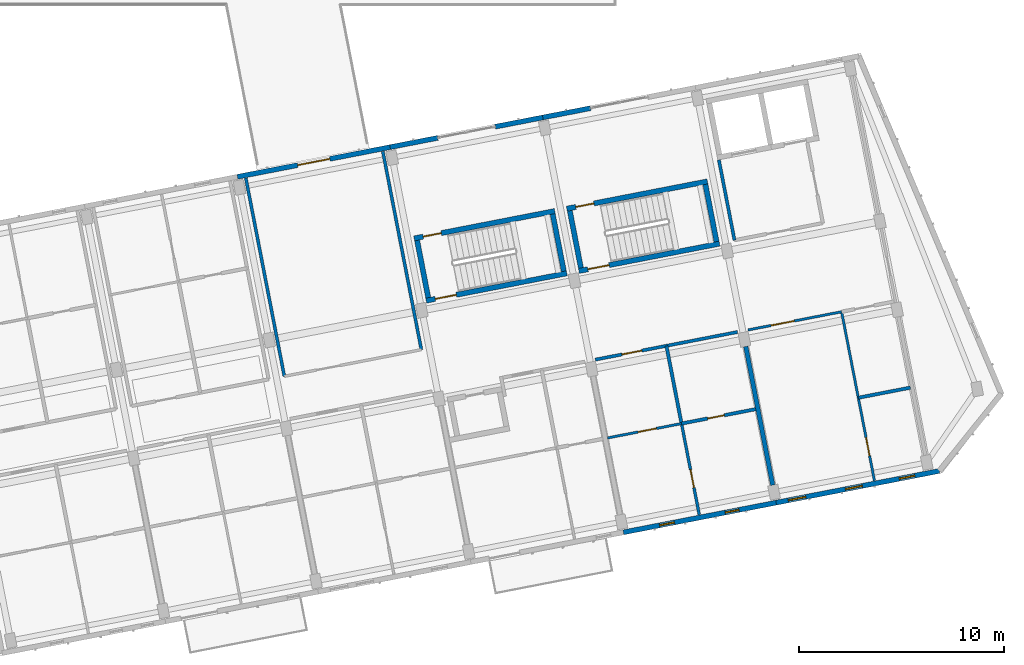
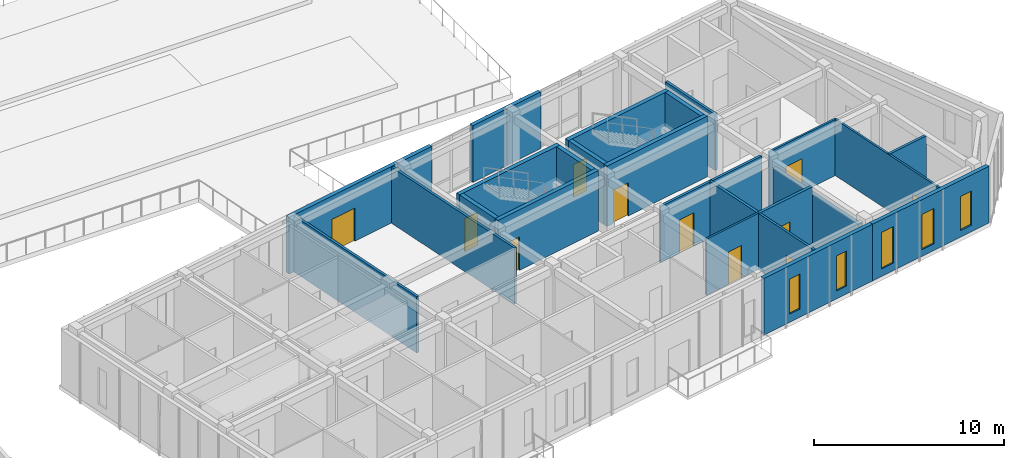
# One storey, part 101 of 150: 26 walls, 11 doors, 5 windows, 16 openings.
"""IFC4 building model written with IfcOpenShell, lengths in metres."""

from ifc_helpers import new_model, si_unit, direction, frame, frame_2d, origin, place, context, subcontext, project, spatial, rectangle, extrude, material, layer, layer_set, type_object, element, fill, save


model = new_model("IFC4")

# Units and contexts
model_context = context("Model", 3, precision=1e-05, world=origin(), true_north=direction((0.0, 1.0)))
body_context = subcontext(model_context, "Body", "Model", "MODEL_VIEW")
ifc_project = project(units=[si_unit("LENGTHUNIT", "METRE"), si_unit("AREAUNIT", "SQUARE_METRE"), si_unit("VOLUMEUNIT", "CUBIC_METRE"), si_unit("PLANEANGLEUNIT", "RADIAN"), si_unit("MASSUNIT", "GRAM", prefix="KILO")], contexts=[model_context])

# Site, building, storey
site_placement = place(None, origin())
site = spatial("IfcSite", under=ifc_project, at=site_placement, CompositionType="ELEMENT")
building_placement = place(site_placement, origin())
building = spatial("IfcBuilding", under=site, at=building_placement, Name="Kestramere Prow Commons", CompositionType="ELEMENT")
storey_placement = place(building_placement, frame((0.0, 0.0, 4.5)))
storey = spatial("IfcBuildingStorey", under=building, at=storey_placement, Name="L01", CompositionType="ELEMENT", Elevation=4.5)

# Wall, openings, windows
ifc_material_1 = material(Name="Fluoropolymer Standing-Seam Zinc-Aluminium Cladding", Category="aluminium")
ifc_layer_1 = layer(ifc_material_1, 0.239990234375)
ifc_layer_set_1 = layer_set([ifc_layer_1], Name="Fluoropolymer Standing-Seam Zinc-Aluminium Cladding")
wall_type_1 = type_object("IfcWallType", Name="EW-SEAM-240", PredefinedType="SOLIDWALL", material=ifc_layer_set_1)
wall_1_placement = place(storey_placement, frame((155.802001953125, 40.7353515625, 0.0), z_axis=(0.0, 0.0, 1.0), x_axis=(-0.981626422232, -0.190812911449, 0.0)))
wall_1 = element("IfcWall", 1, at=wall_1_placement, inside=storey, type_object=wall_type_1, Name="Block D L01 South Standing-Seam Wall 5", PredefinedType="SOLIDWALL", context=body_context, shape_type="SweptSolid", body=[
    extrude(rectangle(XDim=7.60009765625, YDim=0.239990234375, at=frame_2d((3.800048828125, 0.0))), origin(), (0.0, 0.0, 1.0), 3.64990234375),
])
opening_1_placement = place(wall_1_placement, frame((1.84716796875, 0.0, 0.52001953125)))
opening_1 = element("IfcOpeningElement", 2, at=opening_1_placement, cuts=wall_1, Name="Opening WN-06", PredefinedType="OPENING", context=body_context, shape_type="SweptSolid", body=[
    extrude(rectangle(XDim=0.679931640625, YDim=2.239990234375, at=frame_2d((0.33984375, 1.1201171875))), frame((0.0, 0.135009765625, 0.0), z_axis=(0.0, -1.0, 0.0), x_axis=(1.0, 0.0, 0.0)), (0.0, 0.0, 1.0), 0.27001953125),
])
opening_2_placement = place(wall_1_placement, frame((5.06201171875, 0.0, 0.52001953125)))
opening_2 = element("IfcOpeningElement", 3, at=opening_2_placement, cuts=wall_1, Name="Opening WN-09", PredefinedType="OPENING", context=body_context, shape_type="SweptSolid", body=[
    extrude(rectangle(XDim=0.739990234375, YDim=2.260009765625, at=frame_2d((0.3701171875, 1.1298828125))), frame((0.0, 0.135009765625, 0.0), z_axis=(0.0, -1.0, 0.0), x_axis=(1.0, 0.0, 0.0)), (0.0, 0.0, 1.0), 0.27001953125),
])
ifc_material_2 = material(Name="Low-E Laminated Double Glazing", Category="glass")
window_type_1 = type_object("IfcWindowType", Name="WN-NAR-680A", PartitioningType="SINGLE_PANEL", PredefinedType="WINDOW", material=ifc_material_2)
window_1_placement = place(opening_1_placement, origin())
window_1 = element("IfcWindow", 4, at=window_1_placement, inside=storey, type_object=window_type_1, Name="WN-D-L01-S-4-00", OverallHeight=2.239990234375, OverallWidth=0.679931640625, PartitioningType="SINGLE_PANEL", PredefinedType="WINDOW", context=body_context, shape_type="SweptSolid", body=[
    extrude(rectangle(XDim=0.679931640625, YDim=2.239990234375, at=frame_2d((0.33984375, 1.1201171875))), frame((0.0, 0.030029296875, 0.0), z_axis=(0.0, -1.0, 0.0), x_axis=(1.0, 0.0, 0.0)), (0.0, 0.0, 1.0), 0.06005859375),
])
fill(opening_1, window_1)
window_type_2 = type_object("IfcWindowType", Name="WN-NAR-740A", PartitioningType="SINGLE_PANEL", PredefinedType="WINDOW", material=ifc_material_2)
window_2_placement = place(opening_2_placement, origin())
window_2 = element("IfcWindow", 5, at=window_2_placement, inside=storey, type_object=window_type_2, Name="WN-D-L01-S-4-10", OverallHeight=2.260009765625, OverallWidth=0.739990234375, PartitioningType="SINGLE_PANEL", PredefinedType="WINDOW", context=body_context, shape_type="SweptSolid", body=[
    extrude(rectangle(XDim=0.739990234375, YDim=2.260009765625, at=frame_2d((0.3701171875, 1.1298828125))), frame((0.0, 0.030029296875, 0.0), z_axis=(0.0, -1.0, 0.0), x_axis=(1.0, 0.0, 0.0)), (0.0, 0.0, 1.0), 0.06005859375),
])
fill(opening_2, window_2)

wall_2_placement = place(storey_placement, frame((163.77783203125, 42.28564453125, 0.0), z_axis=(0.0, 0.0, 1.0), x_axis=(-0.981628367112, -0.190802905848, 0.0)))
wall_2 = element("IfcWall", 6, at=wall_2_placement, inside=storey, type_object=wall_type_1, Name="Block D L01 South Standing-Seam Wall 6", PredefinedType="SOLIDWALL", context=body_context, shape_type="SweptSolid", body=[
    extrude(rectangle(XDim=8.125, YDim=0.239990234375, at=frame_2d((4.0625, 0.0))), origin(), (0.0, 0.0, 1.0), 3.64990234375),
])
opening_3_placement = place(wall_2_placement, frame((1.22265625, 0.0, 0.419921875)))
opening_3 = element("IfcOpeningElement", 7, at=opening_3_placement, cuts=wall_2, Name="Opening WN-11", PredefinedType="OPENING", context=body_context, shape_type="SweptSolid", body=[
    extrude(rectangle(XDim=0.780029296875, YDim=2.199951171875, at=frame_2d((0.39013671875, 1.10009765625))), frame((0.0, 0.135009765625, 0.0), z_axis=(0.0, -1.0, 0.0), x_axis=(1.0, 0.0, 0.0)), (0.0, 0.0, 1.0), 0.27001953125),
])
opening_4_placement = place(wall_2_placement, frame((3.8349609375, 0.0, 0.419921875)))
opening_4 = element("IfcOpeningElement", 8, at=opening_4_placement, cuts=wall_2, Name="Opening WN-14", PredefinedType="OPENING", context=body_context, shape_type="SweptSolid", body=[
    extrude(rectangle(XDim=0.840087890625, YDim=2.280029296875, at=frame_2d((0.419921875, 1.14013671875))), frame((0.0, 0.135009765625, 0.0), z_axis=(0.0, -1.0, 0.0), x_axis=(1.0, 0.0, 0.0)), (0.0, 0.0, 1.0), 0.27001953125),
])
opening_5_placement = place(wall_2_placement, frame((6.655029296875, 0.0, 0.47998046875)))
opening_5 = element("IfcOpeningElement", 9, at=opening_5_placement, cuts=wall_2, Name="Opening WN-15", PredefinedType="OPENING", context=body_context, shape_type="SweptSolid", body=[
    extrude(rectangle(XDim=0.860107421875, YDim=2.360107421875, at=frame_2d((0.43017578125, 1.18017578125))), frame((0.0, 0.135009765625, 0.0), z_axis=(0.0, -1.0, 0.0), x_axis=(1.0, 0.0, 0.0)), (0.0, 0.0, 1.0), 0.27001953125),
])
window_type_3 = type_object("IfcWindowType", Name="WN-NAR-780A", PartitioningType="SINGLE_PANEL", PredefinedType="WINDOW", material=ifc_material_2)
window_3_placement = place(opening_3_placement, origin())
window_3 = element("IfcWindow", 10, at=window_3_placement, inside=storey, type_object=window_type_3, Name="WN-D-L01-S-5-00", OverallHeight=2.199951171875, OverallWidth=0.780029296875, PartitioningType="SINGLE_PANEL", PredefinedType="WINDOW", context=body_context, shape_type="SweptSolid", body=[
    extrude(rectangle(XDim=0.780029296875, YDim=2.199951171875, at=frame_2d((0.39013671875, 1.10009765625))), frame((0.0, 0.030029296875, 0.0), z_axis=(0.0, -1.0, 0.0), x_axis=(1.0, 0.0, 0.0)), (0.0, 0.0, 1.0), 0.06005859375),
])
fill(opening_3, window_3)
window_type_4 = type_object("IfcWindowType", Name="WN-NAR-840A", PartitioningType="DOUBLE_PANEL_VERTICAL", PredefinedType="WINDOW", material=ifc_material_2)
window_4_placement = place(opening_4_placement, origin())
window_4 = element("IfcWindow", 11, at=window_4_placement, inside=storey, type_object=window_type_4, Name="WN-D-L01-S-5-10", OverallHeight=2.280029296875, OverallWidth=0.840087890625, PartitioningType="SINGLE_PANEL", PredefinedType="WINDOW", context=body_context, shape_type="SweptSolid", body=[
    extrude(rectangle(XDim=0.840087890625, YDim=2.280029296875, at=frame_2d((0.419921875, 1.14013671875))), frame((0.0, 0.030029296875, 0.0), z_axis=(0.0, -1.0, 0.0), x_axis=(1.0, 0.0, 0.0)), (0.0, 0.0, 1.0), 0.06005859375),
])
fill(opening_4, window_4)
window_type_5 = type_object("IfcWindowType", Name="WN-NAR-860A", PartitioningType="DOUBLE_PANEL_VERTICAL", PredefinedType="WINDOW", material=ifc_material_2)
window_5_placement = place(opening_5_placement, origin())
window_5 = element("IfcWindow", 12, at=window_5_placement, inside=storey, type_object=window_type_5, Name="WN-D-L01-S-5-11", OverallHeight=2.360107421875, OverallWidth=0.860107421875, PartitioningType="SINGLE_PANEL", PredefinedType="WINDOW", context=body_context, shape_type="SweptSolid", body=[
    extrude(rectangle(XDim=0.860107421875, YDim=2.360107421875, at=frame_2d((0.43017578125, 1.18017578125))), frame((0.0, 0.030029296875, 0.0), z_axis=(0.0, -1.0, 0.0), x_axis=(1.0, 0.0, 0.0)), (0.0, 0.0, 1.0), 0.06005859375),
])
fill(opening_5, window_5)

# Wall, opening, door
wall_3_placement = place(storey_placement, frame((129.480712890625, 56.655517578125, 0.0), z_axis=(0.0, 0.0, 1.0), x_axis=(0.981626422232, 0.190812911449, 0.0)))
wall_3 = element("IfcWall", 13, at=wall_3_placement, inside=storey, type_object=wall_type_1, Name="Block D L01 North Standing-Seam Wall 3", PredefinedType="SOLIDWALL", context=body_context, shape_type="SweptSolid", body=[
    extrude(rectangle(XDim=7.60009765625, YDim=0.239990234375, at=frame_2d((3.800048828125, 0.0))), origin(), (0.0, 0.0, 1.0), 3.64990234375),
])
opening_6_placement = place(wall_3_placement, frame((3.0, 0.0, 0.0)))
opening_6 = element("IfcOpeningElement", 14, at=opening_6_placement, cuts=wall_3, Name="Opening GD-TER-01", PredefinedType="OPENING", context=body_context, shape_type="SweptSolid", body=[
    extrude(rectangle(XDim=1.60009765625, YDim=2.14990234375, at=frame_2d((0.800048828125, 1.074951171875))), frame((0.0, 0.135009765625, 0.0), z_axis=(0.0, -1.0, 0.0), x_axis=(1.0, 0.0, 0.0)), (0.0, 0.0, 1.0), 0.27001953125),
])
ifc_material_3 = material(Name="Thermally-Broken Anodised Aluminium Glazed", Category="aluminium")
door_type_1 = type_object("IfcDoorType", Name="GD-TERR-1600", OperationType="DOUBLE_DOOR_SINGLE_SWING", PredefinedType="DOOR", material=ifc_material_3)
door_1_placement = place(opening_6_placement, origin())
door_1 = element("IfcDoor", 15, at=door_1_placement, inside=storey, type_object=door_type_1, Name="Block D L01 Raised Courtyard Entrance Door", OperationType="DOUBLE_DOOR_SINGLE_SWING", OverallHeight=2.14990234375, OverallWidth=1.60009765625, PredefinedType="DOOR", context=body_context, shape_type="SweptSolid", body=[
    extrude(rectangle(XDim=1.60009765625, YDim=2.14990234375, at=frame_2d((0.800048828125, 1.074951171875))), frame((0.0, 0.02490234375, 0.0), z_axis=(0.0, -1.0, 0.0), x_axis=(1.0, 0.0, 0.0)), (0.0, 0.0, 1.0), 0.050048828125),
])
fill(opening_6, door_1)

# Walls
for number, where, z_axis, x_axis, name in (
    (16, (136.941162109375, 58.105712890625, 0.0), (0.0, 0.0, 1.0), (0.981629832251, 0.190795367961, 0.0), "Block D L01 North Standing-Seam Pier 4L"),
    (17, (142.070068359375, 59.102783203125, 0.0), (0.0, 0.0, 1.0), (0.981629832251, 0.190795367961, 0.0), "Block D L01 North Standing-Seam Pier 4R"),
):
    element("IfcWall", number, at=place(storey_placement, frame(where, z_axis=z_axis, x_axis=x_axis)), inside=storey, type_object=wall_type_1, Name=name, PredefinedType="SOLIDWALL", context=body_context, shape_type="SweptSolid", body=[
        extrude(rectangle(XDim=2.375, YDim=0.239990234375, at=frame_2d((1.1875, 0.0))), origin(), (0.0, 0.0, 1.0), 3.64990234375),
    ])
wall_4_placement = place(storey_placement, frame((144.4013671875, 59.555908203125, 0.0), z_axis=(0.0, 0.0, 1.0), x_axis=(0.981633573872, 0.190776116556, 0.0)))
element("IfcWall", 18, at=wall_4_placement, inside=storey, type_object=wall_type_1, Name="Block D L01 North Standing-Seam Pier 5L", PredefinedType="SOLIDWALL", context=body_context, shape_type="SweptSolid", body=[
    extrude(rectangle(XDim=2.375244140625, YDim=0.239990234375, at=frame_2d((1.1875, 0.0))), origin(), (0.0, 0.0, 1.0), 3.64990234375),
])

# Wall, opening, door
ifc_material_4 = material(Name="Concrete C40/50", Category="concrete")
ifc_layer_2 = layer(ifc_material_4, 0.25)
ifc_layer_set_2 = layer_set([ifc_layer_2], Name="Concrete C40/50")
wall_type_2 = type_object("IfcWallType", Name="W-CORE-250", PredefinedType="SHEAR", material=ifc_layer_set_2)
wall_5_placement = place(storey_placement, frame((138.11328125, 53.6474609375, 0.0), z_axis=(0.0, 0.0, 1.0), x_axis=(0.981626097708, 0.19081458094, 0.0)))
wall_5 = element("IfcWall", 19, at=wall_5_placement, inside=storey, type_object=wall_type_2, Name="ST-D1 L01 North Shaft Wall", PredefinedType="SHEAR", context=body_context, shape_type="SweptSolid", body=[
    extrude(rectangle(XDim=7.0, YDim=0.25, at=frame_2d((3.5, 0.0))), origin(), (0.0, 0.0, 1.0), 3.89990234375),
])
opening_7_placement = place(wall_5_placement, frame((0.449951171875, 0.0, 0.0)))
opening_7 = element("IfcOpeningElement", 20, at=opening_7_placement, cuts=wall_5, Name="Opening ID-08", PredefinedType="OPENING", context=body_context, shape_type="SweptSolid", body=[
    extrude(rectangle(XDim=0.89990234375, YDim=2.10009765625, at=frame_2d((0.449951171875, 1.050048828125))), frame((0.0, 0.139892578125, 0.0), z_axis=(0.0, -1.0, 0.0), x_axis=(1.0, 0.0, 0.0)), (0.0, 0.0, 1.0), 0.280029296875),
])
ifc_material_5 = material(Name="Engineered Timber Flush Door", Category="wood")
door_type_2 = type_object("IfcDoorType", Name="D-RM-01", OperationType="NOTDEFINED", PredefinedType="DOOR", material=ifc_material_5)
door_2_placement = place(opening_7_placement, origin())
door_2 = element("IfcDoor", 21, at=door_2_placement, inside=storey, type_object=door_type_2, Name="ST-D1 L01 North Room Door", OperationType="SINGLE_SWING_RIGHT", OverallHeight=2.10009765625, OverallWidth=0.89990234375, PredefinedType="DOOR", context=body_context, shape_type="SweptSolid", body=[
    extrude(rectangle(XDim=0.89990234375, YDim=2.10009765625, at=frame_2d((0.449951171875, 1.050048828125))), frame((0.0, 0.02490234375, 0.0), z_axis=(0.0, -1.0, 0.0), x_axis=(1.0, 0.0, 0.0)), (0.0, 0.0, 1.0), 0.050048828125),
])
fill(opening_7, door_2)

wall_6_placement = place(storey_placement, frame((138.704833984375, 50.6044921875, 0.0), z_axis=(0.0, 0.0, 1.0), x_axis=(0.981626097708, 0.19081458094, 0.0)))
wall_6 = element("IfcWall", 22, at=wall_6_placement, inside=storey, type_object=wall_type_2, Name="ST-D1 L01 Corridor Shaft Wall", PredefinedType="SHEAR", context=body_context, shape_type="SweptSolid", body=[
    extrude(rectangle(XDim=7.0, YDim=0.25, at=frame_2d((3.5, 0.0))), origin(), (0.0, 0.0, 1.0), 3.89990234375),
])
opening_8_placement = place(wall_6_placement, frame((0.449951171875, 0.0, 0.0)))
opening_8 = element("IfcOpeningElement", 23, at=opening_8_placement, cuts=wall_6, Name="Opening ID-01", PredefinedType="OPENING", context=body_context, shape_type="SweptSolid", body=[
    extrude(rectangle(XDim=1.050048828125, YDim=2.14990234375, at=frame_2d((0.52490234375, 1.074951171875))), frame((0.0, 0.139892578125, 0.0), z_axis=(0.0, -1.0, 0.0), x_axis=(1.0, 0.0, 0.0)), (0.0, 0.0, 1.0), 0.280029296875),
])
ifc_material_6 = material(Name="Fire-Rated Timber and Steel Frame", Category="steel")
door_type_3 = type_object("IfcDoorType", Name="FD-ST-01", OperationType="NOTDEFINED", PredefinedType="DOOR", material=ifc_material_6)
door_3_placement = place(opening_8_placement, origin())
door_3 = element("IfcDoor", 24, at=door_3_placement, inside=storey, type_object=door_type_3, Name="ST-D1 L01 Protected Stair Door", OperationType="SINGLE_SWING_RIGHT", OverallHeight=2.14990234375, OverallWidth=1.050048828125, PredefinedType="DOOR", context=body_context, shape_type="SweptSolid", body=[
    extrude(rectangle(XDim=1.050048828125, YDim=2.14990234375, at=frame_2d((0.52490234375, 1.074951171875))), frame((0.0, 0.02490234375, 0.0), z_axis=(0.0, -1.0, 0.0), x_axis=(1.0, 0.0, 0.0)), (0.0, 0.0, 1.0), 0.050048828125),
])
fill(opening_8, door_3)

# Walls
wall_7_placement = place(storey_placement, frame((138.8037109375, 50.7509765625, 0.0), z_axis=(0.0, 0.0, 1.0), x_axis=(-0.190858194834, 0.981617618762, 0.0)))
element("IfcWall", 25, at=wall_7_placement, inside=storey, type_object=wall_type_2, Name="ST-D1 L01 Near Shaft Wall", PredefinedType="SHEAR", context=body_context, shape_type="SweptSolid", body=[
    extrude(rectangle(XDim=2.85009765625, YDim=0.25, at=frame_2d((1.425048828125, 0.0))), origin(), (0.0, 0.0, 1.0), 3.89990234375),
])
wall_8_placement = place(storey_placement, frame((145.4296875, 52.038818359375, 0.0), z_axis=(0.0, 0.0, 1.0), x_axis=(-0.190842147128, 0.981620738819, 0.0)))
element("IfcWall", 26, at=wall_8_placement, inside=storey, type_object=wall_type_2, Name="ST-D1 L01 Far Shaft Wall", PredefinedType="SHEAR", context=body_context, shape_type="SweptSolid", body=[
    extrude(rectangle(XDim=2.850341796875, YDim=0.25, at=frame_2d((1.42529296875, 0.0))), origin(), (0.0, 0.0, 1.0), 3.89990234375),
])

# Wall, opening, door
wall_9_placement = place(storey_placement, frame((145.57373046875, 55.09765625, 0.0), z_axis=(0.0, 0.0, 1.0), x_axis=(0.981626097708, 0.19081458094, 0.0)))
wall_9 = element("IfcWall", 27, at=wall_9_placement, inside=storey, type_object=wall_type_2, Name="ST-D2 L01 North Shaft Wall", PredefinedType="SHEAR", context=body_context, shape_type="SweptSolid", body=[
    extrude(rectangle(XDim=7.0, YDim=0.25, at=frame_2d((3.5, 0.0))), origin(), (0.0, 0.0, 1.0), 3.89990234375),
])
opening_9_placement = place(wall_9_placement, frame((0.449951171875, 0.0, 0.0)))
opening_9 = element("IfcOpeningElement", 28, at=opening_9_placement, cuts=wall_9, Name="Opening ID-08", PredefinedType="OPENING", context=body_context, shape_type="SweptSolid", body=[
    extrude(rectangle(XDim=0.89990234375, YDim=2.10009765625, at=frame_2d((0.449951171875, 1.050048828125))), frame((0.0, 0.139892578125, 0.0), z_axis=(0.0, -1.0, 0.0), x_axis=(1.0, 0.0, 0.0)), (0.0, 0.0, 1.0), 0.280029296875),
])
door_4_placement = place(opening_9_placement, origin())
door_4 = element("IfcDoor", 29, at=door_4_placement, inside=storey, type_object=door_type_2, Name="ST-D2 L01 North Room Door", OperationType="SINGLE_SWING_RIGHT", OverallHeight=2.10009765625, OverallWidth=0.89990234375, PredefinedType="DOOR", context=body_context, shape_type="SweptSolid", body=[
    extrude(rectangle(XDim=0.89990234375, YDim=2.10009765625, at=frame_2d((0.449951171875, 1.050048828125))), frame((0.0, 0.02490234375, 0.0), z_axis=(0.0, -1.0, 0.0), x_axis=(1.0, 0.0, 0.0)), (0.0, 0.0, 1.0), 0.050048828125),
])
fill(opening_9, door_4)

wall_10_placement = place(storey_placement, frame((146.1650390625, 52.054443359375, 0.0), z_axis=(0.0, 0.0, 1.0), x_axis=(0.981627367538, 0.190808048312, 0.0)))
wall_10 = element("IfcWall", 30, at=wall_10_placement, inside=storey, type_object=wall_type_2, Name="ST-D2 L01 Corridor Shaft Wall", PredefinedType="SHEAR", context=body_context, shape_type="SweptSolid", body=[
    extrude(rectangle(XDim=7.000244140625, YDim=0.25, at=frame_2d((3.5, 0.0))), origin(), (0.0, 0.0, 1.0), 3.89990234375),
])
opening_10_placement = place(wall_10_placement, frame((0.449951171875, 0.0, 0.0)))
opening_10 = element("IfcOpeningElement", 31, at=opening_10_placement, cuts=wall_10, Name="Opening ID-01", PredefinedType="OPENING", context=body_context, shape_type="SweptSolid", body=[
    extrude(rectangle(XDim=1.050048828125, YDim=2.14990234375, at=frame_2d((0.52490234375, 1.074951171875))), frame((0.0, 0.139892578125, 0.0), z_axis=(0.0, -1.0, 0.0), x_axis=(1.0, 0.0, 0.0)), (0.0, 0.0, 1.0), 0.280029296875),
])
door_5_placement = place(opening_10_placement, origin())
door_5 = element("IfcDoor", 32, at=door_5_placement, inside=storey, type_object=door_type_3, Name="ST-D2 L01 Protected Stair Door", OperationType="SINGLE_SWING_RIGHT", OverallHeight=2.14990234375, OverallWidth=1.050048828125, PredefinedType="DOOR", context=body_context, shape_type="SweptSolid", body=[
    extrude(rectangle(XDim=1.050048828125, YDim=2.14990234375, at=frame_2d((0.52490234375, 1.074951171875))), frame((0.0, 0.02490234375, 0.0), z_axis=(0.0, -1.0, 0.0), x_axis=(1.0, 0.0, 0.0)), (0.0, 0.0, 1.0), 0.050048828125),
])
fill(opening_10, door_5)

# Walls
for number, where, z_axis, x_axis, name in (
    (33, (146.263916015625, 52.201171875, 0.0), (0.0, 0.0, 1.0), (-0.190775649797, 0.981633664584, 0.0), "ST-D2 L01 Near Shaft Wall"),
    (34, (152.889892578125, 53.489013671875, 0.0), (0.0, 0.0, 1.0), (-0.190775649797, 0.981633664584, 0.0), "ST-D2 L01 Far Shaft Wall"),
):
    element("IfcWall", number, at=place(storey_placement, frame(where, z_axis=z_axis, x_axis=x_axis)), inside=storey, type_object=wall_type_2, Name=name, PredefinedType="SHEAR", context=body_context, shape_type="SweptSolid", body=[
        extrude(rectangle(XDim=2.849853515625, YDim=0.25, at=frame_2d((1.4248046875, 0.0))), origin(), (0.0, 0.0, 1.0), 3.89990234375),
    ])
ifc_material_7 = material(Name="Fire-Rated Calcium Silicate Wall")
ifc_layer_3 = layer(ifc_material_7, 0.155029296875)
ifc_layer_set_3 = layer_set([ifc_layer_3], Name="Fire-Rated Calcium Silicate Wall")
wall_type_3 = type_object("IfcWallType", Name="W-FIRE-150", PredefinedType="PARTITIONING", material=ifc_layer_set_3)
wall_11_placement = place(storey_placement, frame((153.76806640625, 53.557861328125, 0.0), z_axis=(0.0, 0.0, 1.0), x_axis=(-0.19085495634, 0.981618248425, 0.0)))
element("IfcWall", 35, at=wall_11_placement, inside=storey, type_object=wall_type_3, Name="Interior Partition PW-D-L01-FFL-W", PredefinedType="PARTITIONING", context=body_context, shape_type="SweptSolid", body=[
    extrude(rectangle(XDim=4.0, YDim=0.155029296875, at=frame_2d((2.0, 0.0))), origin(), (0.0, 0.0, 1.0), 3.6201171875),
])

# Wall, opening, door
wall_12_placement = place(storey_placement, frame((146.96630859375, 47.722900390625, 0.0), z_axis=(0.0, 0.0, 1.0), x_axis=(0.981629923556, 0.190794898199, 0.0)))
wall_12 = element("IfcWall", 36, at=wall_12_placement, inside=storey, type_object=wall_type_3, Name="Interior Partition PW-D-L01-CS-4", PredefinedType="PARTITIONING", context=body_context, shape_type="SweptSolid", body=[
    extrude(rectangle(XDim=7.080078125, YDim=0.155029296875, at=frame_2d((3.5400390625, 0.0))), origin(), (0.0, 0.0, 1.0), 3.6201171875),
])
opening_11_placement = place(wall_12_placement, frame((1.330078125, 0.0, 0.0)))
opening_11 = element("IfcOpeningElement", 37, at=opening_11_placement, cuts=wall_12, Name="Opening ID-04", PredefinedType="OPENING", context=body_context, shape_type="SweptSolid", body=[
    extrude(rectangle(XDim=0.97998046875, YDim=2.14990234375, at=frame_2d((0.489990234375, 1.074951171875))), frame((0.0, 0.092529296875, 0.0), z_axis=(0.0, -1.0, 0.0), x_axis=(1.0, 0.0, 0.0)), (0.0, 0.0, 1.0), 0.18505859375),
])
ifc_material_8 = material(Name="Hardwood Fire-Rated Flat Entrance Door", Category="wood")
door_type_4 = type_object("IfcDoorType", Name="FD-ENT-01", OperationType="NOTDEFINED", PredefinedType="DOOR", material=ifc_material_8)
door_6_placement = place(opening_11_placement, origin())
door_6 = element("IfcDoor", 38, at=door_6_placement, inside=storey, type_object=door_type_4, Name="Interior Door DR-D-L01-ENT-S4", OperationType="SINGLE_SWING_RIGHT", OverallHeight=2.14990234375, OverallWidth=0.97998046875, PredefinedType="DOOR", context=body_context, shape_type="SweptSolid", body=[
    extrude(rectangle(XDim=0.97998046875, YDim=2.14990234375, at=frame_2d((0.489990234375, 1.074951171875))), frame((0.0, 0.02490234375, 0.0), z_axis=(0.0, -1.0, 0.0), x_axis=(1.0, 0.0, 0.0)), (0.0, 0.0, 1.0), 0.050048828125),
])
fill(opening_11, door_6)

ifc_material_9 = material(Name="Lightweight Blockwork and Plaster", Category="masonry")
ifc_layer_4 = layer(ifc_material_9, 0.1201171875)
ifc_layer_set_4 = layer_set([ifc_layer_4], Name="Lightweight Blockwork and Plaster")
wall_type_4 = type_object("IfcWallType", Name="W-PART-120", PredefinedType="PARTITIONING", material=ifc_layer_set_4)
wall_13_placement = place(storey_placement, frame((147.5625, 43.896240234375, 0.0), z_axis=(0.0, 0.0, 1.0), x_axis=(0.981626422232, 0.190812911449, 0.0)))
wall_13 = element("IfcWall", 39, at=wall_13_placement, inside=storey, type_object=wall_type_4, Name="Interior Partition PW-D-L01-MIDS1-4", PredefinedType="PARTITIONING", context=body_context, shape_type="SweptSolid", body=[
    extrude(rectangle(XDim=3.684814453125, YDim=0.1201171875, at=frame_2d((1.84228515625, 0.0))), origin(), (0.0, 0.0, 1.0), 3.6201171875),
])
opening_12_placement = place(wall_13_placement, frame((1.52490234375, 0.0, 0.0)))
opening_12 = element("IfcOpeningElement", 40, at=opening_12_placement, cuts=wall_13, Name="Opening ID-08", PredefinedType="OPENING", context=body_context, shape_type="SweptSolid", body=[
    extrude(rectangle(XDim=0.89990234375, YDim=2.10009765625, at=frame_2d((0.449951171875, 1.050048828125))), frame((0.0, 0.074951171875, 0.0), z_axis=(0.0, -1.0, 0.0), x_axis=(1.0, 0.0, 0.0)), (0.0, 0.0, 1.0), 0.150146484375),
])
door_7_placement = place(opening_12_placement, origin())
door_7 = element("IfcDoor", 41, at=door_7_placement, inside=storey, type_object=door_type_2, Name="Interior Door DR-D-L01-KL-S4", OperationType="SINGLE_SWING_RIGHT", OverallHeight=2.10009765625, OverallWidth=0.89990234375, PredefinedType="DOOR", context=body_context, shape_type="SweptSolid", body=[
    extrude(rectangle(XDim=0.89990234375, YDim=2.10009765625, at=frame_2d((0.449951171875, 1.050048828125))), frame((0.0, 0.02490234375, 0.0), z_axis=(0.0, -1.0, 0.0), x_axis=(1.0, 0.0, 0.0)), (0.0, 0.0, 1.0), 0.050048828125),
])
fill(opening_12, door_7)

wall_14_placement = place(storey_placement, frame((154.4267578125, 49.173095703125, 0.0), z_axis=(0.0, 0.0, 1.0), x_axis=(0.981628202514, 0.190803752658, 0.0)))
wall_14 = element("IfcWall", 42, at=wall_14_placement, inside=storey, type_object=wall_type_4, Name="Interior Partition PW-D-L01-CS-5A", PredefinedType="PARTITIONING", context=body_context, shape_type="SweptSolid", body=[
    extrude(rectangle(XDim=4.66015625, YDim=0.1201171875, at=frame_2d((2.330078125, 0.0))), origin(), (0.0, 0.0, 1.0), 3.6201171875),
])
opening_13_placement = place(wall_14_placement, frame((1.14990234375, 0.0, 0.0)))
opening_13 = element("IfcOpeningElement", 43, at=opening_13_placement, cuts=wall_14, Name="Opening ID-09", PredefinedType="OPENING", context=body_context, shape_type="SweptSolid", body=[
    extrude(rectangle(XDim=1.14990234375, YDim=2.14990234375, at=frame_2d((0.574951171875, 1.074951171875))), frame((0.0, 0.074951171875, 0.0), z_axis=(0.0, -1.0, 0.0), x_axis=(1.0, 0.0, 0.0)), (0.0, 0.0, 1.0), 0.150146484375),
])
ifc_material_10 = material(Name="Engineered Timber Acoustic Door", Category="wood")
door_type_5 = type_object("IfcDoorType", Name="D-RM-02", OperationType="NOTDEFINED", PredefinedType="DOOR", material=ifc_material_10)
door_8_placement = place(opening_13_placement, origin())
door_8 = element("IfcDoor", 44, at=door_8_placement, inside=storey, type_object=door_type_5, Name="Interior Door DR-D-L01-SKY-5", OperationType="SINGLE_SWING_LEFT", OverallHeight=2.14990234375, OverallWidth=1.14990234375, PredefinedType="DOOR", context=body_context, shape_type="SweptSolid", body=[
    extrude(rectangle(XDim=1.14990234375, YDim=2.14990234375, at=frame_2d((0.574951171875, 1.074951171875))), frame((0.0, 0.02490234375, 0.0), z_axis=(0.0, -1.0, 0.0), x_axis=(1.0, 0.0, 0.0)), (0.0, 0.0, 1.0), 0.050048828125),
])
fill(opening_13, door_8)

wall_15_placement = place(storey_placement, frame((160.60595703125, 41.806640625, 0.0), z_axis=(0.0, 0.0, 1.0), x_axis=(-0.190809830256, 0.981627021163, 0.0)))
wall_15 = element("IfcWall", 45, at=wall_15_placement, inside=storey, type_object=wall_type_4, Name="Interior Partition PW-D-L01-SKDV-5", PredefinedType="PARTITIONING", context=body_context, shape_type="SweptSolid", body=[
    extrude(rectangle(XDim=8.41015625, YDim=0.1201171875, at=frame_2d((4.205078125, 0.0))), origin(), (0.0, 0.0, 1.0), 3.6201171875),
])
opening_14_placement = place(wall_15_placement, frame((1.25, 0.0, 0.0)))
opening_14 = element("IfcOpeningElement", 46, at=opening_14_placement, cuts=wall_15, Name="Opening ID-08", PredefinedType="OPENING", context=body_context, shape_type="SweptSolid", body=[
    extrude(rectangle(XDim=0.89990234375, YDim=2.10009765625, at=frame_2d((0.449951171875, 1.050048828125))), frame((0.0, 0.074951171875, 0.0), z_axis=(0.0, -1.0, 0.0), x_axis=(1.0, 0.0, 0.0)), (0.0, 0.0, 1.0), 0.150146484375),
])
door_9_placement = place(opening_14_placement, origin())
door_9 = element("IfcDoor", 47, at=door_9_placement, inside=storey, type_object=door_type_2, Name="Interior Door DR-D-L01-SKAL-5", OperationType="SINGLE_SWING_LEFT", OverallHeight=2.10009765625, OverallWidth=0.89990234375, PredefinedType="DOOR", context=body_context, shape_type="SweptSolid", body=[
    extrude(rectangle(XDim=0.89990234375, YDim=2.10009765625, at=frame_2d((0.449951171875, 1.050048828125))), frame((0.0, 0.02490234375, 0.0), z_axis=(0.0, -1.0, 0.0), x_axis=(1.0, 0.0, 0.0)), (0.0, 0.0, 1.0), 0.050048828125),
])
fill(opening_14, door_9)

ifc_material_11 = material(Name="Masonry Compartment Wall", Category="masonry")
ifc_layer_5 = layer(ifc_material_11, 0.139892578125)
ifc_layer_set_5 = layer_set([ifc_layer_5], Name="Masonry Compartment Wall")
wall_type_5 = type_object("IfcWallType", Name="W-PART-140", PredefinedType="PARTITIONING", material=ifc_layer_set_5)
wall_16_placement = place(storey_placement, frame((152.046142578125, 40.142822265625, 0.0), z_axis=(0.0, 0.0, 1.0), x_axis=(-0.190849508215, 0.981619307682, 0.0)))
wall_16 = element("IfcWall", 48, at=wall_16_placement, inside=storey, type_object=wall_type_5, Name="Interior Partition PW-D-L01-LB-S4", PredefinedType="PARTITIONING", context=body_context, shape_type="SweptSolid", body=[
    extrude(rectangle(XDim=4.5400390625, YDim=0.139892578125, at=frame_2d((2.27001953125, 0.0))), origin(), (0.0, 0.0, 1.0), 3.6201171875),
])
opening_15_placement = place(wall_16_placement, frame((1.35009765625, 0.0, 0.0)))
opening_15 = element("IfcOpeningElement", 49, at=opening_15_placement, cuts=wall_16, Name="Opening ID-08", PredefinedType="OPENING", context=body_context, shape_type="SweptSolid", body=[
    extrude(rectangle(XDim=0.89990234375, YDim=2.10009765625, at=frame_2d((0.449951171875, 1.050048828125))), frame((0.0, 0.0849609375, 0.0), z_axis=(0.0, -1.0, 0.0), x_axis=(1.0, 0.0, 0.0)), (0.0, 0.0, 1.0), 0.169921875),
])
door_10_placement = place(opening_15_placement, origin())
door_10 = element("IfcDoor", 50, at=door_10_placement, inside=storey, type_object=door_type_2, Name="Interior Door DR-D-L01-BED-S4", OperationType="SINGLE_SWING_LEFT", OverallHeight=2.10009765625, OverallWidth=0.89990234375, PredefinedType="DOOR", context=body_context, shape_type="SweptSolid", body=[
    extrude(rectangle(XDim=0.89990234375, YDim=2.10009765625, at=frame_2d((0.449951171875, 1.050048828125))), frame((0.0, 0.02490234375, 0.0), z_axis=(0.0, -1.0, 0.0), x_axis=(1.0, 0.0, 0.0)), (0.0, 0.0, 1.0), 0.050048828125),
])
fill(opening_15, door_10)

# Walls
ifc_layer_6 = layer(ifc_material_11, 0.14990234375)
ifc_layer_set_6 = layer_set([ifc_layer_6], Name="Masonry Compartment Wall")
wall_type_6 = type_object("IfcWallType", Name="W-PART-150", PredefinedType="PARTITIONING", material=ifc_layer_set_6)
wall_17_placement = place(storey_placement, frame((131.7724609375, 46.90869140625, 0.0), z_axis=(0.0, 0.0, 1.0), x_axis=(-0.1907855758, 0.981631735462, 0.0)))
element("IfcWall", 51, at=wall_17_placement, inside=storey, type_object=wall_type_6, Name="Interior Partition PW-D-L01-NWL-2", PredefinedType="PARTITIONING", context=body_context, shape_type="SweptSolid", body=[
    extrude(rectangle(XDim=9.8701171875, YDim=0.14990234375, at=frame_2d((4.93505859375, 0.0))), origin(), (0.0, 0.0, 1.0), 3.6201171875),
])
wall_18_placement = place(storey_placement, frame((138.46728515625, 48.210205078125, 0.0), z_axis=(0.0, 0.0, 1.0), x_axis=(-0.190814044018, 0.981626202078, 0.0)))
element("IfcWall", 52, at=wall_18_placement, inside=storey, type_object=wall_type_6, Name="Interior Partition PW-D-L01-NWR-2", PredefinedType="PARTITIONING", context=body_context, shape_type="SweptSolid", body=[
    extrude(rectangle(XDim=9.869873046875, YDim=0.14990234375, at=frame_2d((4.93505859375, 0.0))), origin(), (0.0, 0.0, 1.0), 3.6201171875),
])

# Wall, opening, door
ifc_material_12 = material(Name="Waterproof Sanitary Masonry Wall", Category="masonry")
ifc_layer_7 = layer(ifc_material_12, 0.1650390625)
ifc_layer_set_7 = layer_set([ifc_layer_7], Name="Waterproof Sanitary Masonry Wall")
wall_type_7 = type_object("IfcWallType", Name="W-PLUMB-150", PredefinedType="PLUMBINGWALL", material=ifc_layer_set_7)
wall_19_placement = place(storey_placement, frame((151.1796875, 44.599365234375, 0.0), z_axis=(0.0, 0.0, 1.0), x_axis=(0.981628834294, 0.190800502313, 0.0)))
wall_19 = element("IfcWall", 53, at=wall_19_placement, inside=storey, type_object=wall_type_7, Name="Interior Partition PW-D-L01-MIDS2-4", PredefinedType="PLUMBINGWALL", context=body_context, shape_type="SweptSolid", body=[
    extrude(rectangle(XDim=3.68505859375, YDim=0.1650390625, at=frame_2d((1.842529296875, 0.0))), origin(), (0.0, 0.0, 1.0), 3.6201171875),
])
opening_16_placement = place(wall_19_placement, frame((1.300048828125, 0.0, 0.0)))
opening_16 = element("IfcOpeningElement", 54, at=opening_16_placement, cuts=wall_19, Name="Opening ID-11", PredefinedType="OPENING", context=body_context, shape_type="SweptSolid", body=[
    extrude(rectangle(XDim=0.820068359375, YDim=2.080078125, at=frame_2d((0.41015625, 1.0400390625))), frame((0.0, 0.097412109375, 0.0), z_axis=(0.0, -1.0, 0.0), x_axis=(1.0, 0.0, 0.0)), (0.0, 0.0, 1.0), 0.195068359375),
])
ifc_material_13 = material(Name="Moisture-Resistant Timber Bathroom Door", Category="wood")
door_type_6 = type_object("IfcDoorType", Name="D-BT-01", OperationType="NOTDEFINED", PredefinedType="DOOR", material=ifc_material_13)
door_11_placement = place(opening_16_placement, origin())
door_11 = element("IfcDoor", 55, at=door_11_placement, inside=storey, type_object=door_type_6, Name="Interior Door DR-D-L01-BTH-S4", OperationType="SINGLE_SWING_LEFT", OverallHeight=2.080078125, OverallWidth=0.820068359375, PredefinedType="DOOR", context=body_context, shape_type="SweptSolid", body=[
    extrude(rectangle(XDim=0.820068359375, YDim=2.080078125, at=frame_2d((0.41015625, 1.0400390625))), frame((0.0, 0.02490234375, 0.0), z_axis=(0.0, -1.0, 0.0), x_axis=(1.0, 0.0, 0.0)), (0.0, 0.0, 1.0), 0.050048828125),
])
fill(opening_16, door_11)

# Walls
wall_20_placement = place(storey_placement, frame((151.1796875, 44.599365234375, 0.0), z_axis=(0.0, 0.0, 1.0), x_axis=(-0.190763284403, 0.981636067656, 0.0)))
element("IfcWall", 56, at=wall_20_placement, inside=storey, type_object=wall_type_7, Name="Interior Partition PW-D-L01-KB-S4", PredefinedType="PLUMBINGWALL", context=body_context, shape_type="SweptSolid", body=[
    extrude(rectangle(XDim=3.8701171875, YDim=0.1650390625, at=frame_2d((1.93505859375, 0.0))), origin(), (0.0, 0.0, 1.0), 3.6201171875),
])
wall_21_placement = place(storey_placement, frame((159.81787109375, 45.86083984375, 0.0), z_axis=(0.0, 0.0, 1.0), x_axis=(0.981628634101, 0.19080153226, 0.0)))
element("IfcWall", 57, at=wall_21_placement, inside=storey, type_object=wall_type_7, Name="Interior Partition PW-D-L01-SKHZ-5", PredefinedType="PLUMBINGWALL", context=body_context, shape_type="SweptSolid", body=[
    extrude(rectangle(XDim=2.58984375, YDim=0.1650390625, at=frame_2d((1.294921875, 0.0))), origin(), (0.0, 0.0, 1.0), 3.6201171875),
])
ifc_material_14 = material(Name="Precast concrete C40/50", Category="concrete")
ifc_layer_8 = layer(ifc_material_14, 0.219970703125)
ifc_layer_set_8 = layer_set([ifc_layer_8], Name="Precast concrete C40/50")
wall_type_8 = type_object("IfcWallType", Name="W-XWALL-220", PredefinedType="SHEAR", material=ifc_layer_set_8)
wall_22_placement = place(storey_placement, frame((155.635009765625, 41.59423828125, -0.25), z_axis=(0.0, 0.0, 1.0), x_axis=(-0.190819465253, 0.981625148252, 0.0)))
element("IfcWall", 58, at=wall_22_placement, inside=storey, type_object=wall_type_8, Name="Block D L01 Precast Cross-Wall 5", PredefinedType="SHEAR", context=body_context, shape_type="SweptSolid", body=[
    extrude(rectangle(XDim=6.89990234375, YDim=0.219970703125, at=frame_2d((3.449951171875, 0.0))), origin(), (0.0, 0.0, 1.0), 3.39990234375),
])

save(model, "model.ifc")
